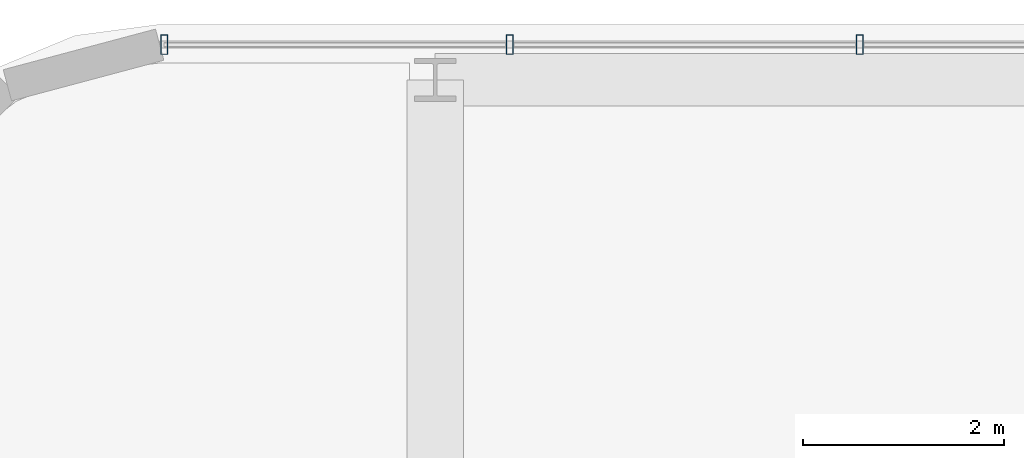
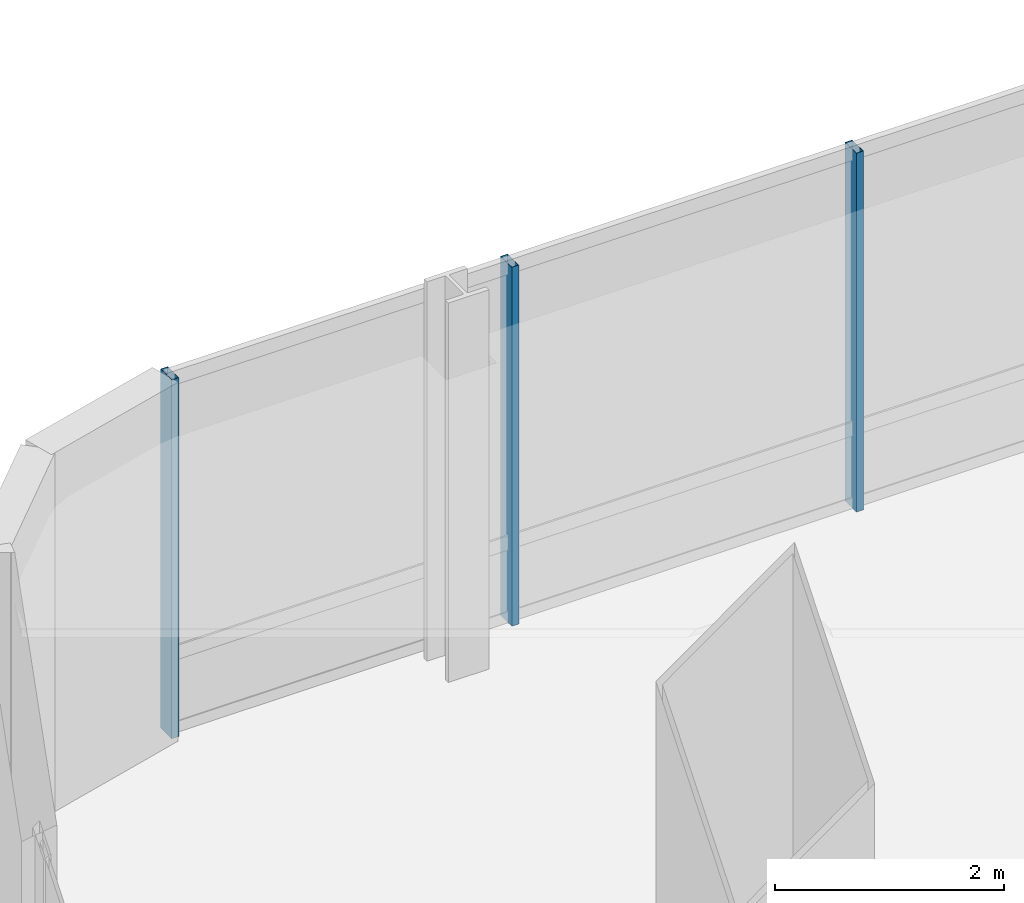
# One storey, part 21 of 38: 3 members, 1 element without a shape of its own.
"""IFC4 building model written with IfcOpenShell, lengths in metres."""

from ifc_helpers import new_model, si_unit, direction, frame, origin, origin_2d, place, context, subcontext, project, spatial, hollow_rectangle, extrude, material, material_profile, profile_set, type_object, element, aggregate, save


model = new_model("IFC4")

# Units and contexts
model_context = context("Model", 3, precision=1e-05, world=origin(), true_north=direction((0.0, 1.0)))
body_context = subcontext(model_context, "Body", "Model", "MODEL_VIEW")
ifc_project = project(units=[si_unit("LENGTHUNIT", "METRE"), si_unit("AREAUNIT", "SQUARE_METRE"), si_unit("VOLUMEUNIT", "CUBIC_METRE"), si_unit("PLANEANGLEUNIT", "RADIAN"), si_unit("MASSUNIT", "GRAM", prefix="KILO")], contexts=[model_context])

# Site, building, storey
site_placement = place(None, origin())
site = spatial("IfcSite", under=ifc_project, at=site_placement, CompositionType="ELEMENT")
building_placement = place(site_placement, origin())
building = spatial("IfcBuilding", under=site, at=building_placement, Name="Punatoya Terracotta Tower", CompositionType="ELEMENT")
storey_placement = place(building_placement, frame((0.0, 0.0, 156.0)))
storey = spatial("IfcBuildingStorey", under=building, at=storey_placement, Name="L36", CompositionType="ELEMENT", Elevation=156.0)

# Curtain wall, members
ifc_material_1 = material(Name="Aluminium 6063-T6 + Double Low-E Glass", Category="aluminium")
curtain_wall_type = type_object("IfcCurtainWallType", Name="CW-M2", PredefinedType="NOTDEFINED", material=ifc_material_1)
curtain_wall_placement = place(storey_placement, origin())
curtain_wall = element("IfcCurtainWall", 1, at=curtain_wall_placement, inside=storey, type_object=curtain_wall_type, Name="L36 Curtain Wall CW-L36-N09-2", PredefinedType="NOTDEFINED")
ifc_material_2 = material(Name="Aluminium 6063-T6", Category="aluminium")
ifc_material_profile = material_profile(ifc_material_2, hollow_rectangle(XDim=0.072021484375, YDim=0.195068359375, WallThickness=0.00439453125, at=origin_2d()))
ifc_profile_set = profile_set([ifc_material_profile], Name="Aluminium 6063-T6")
member_type = type_object("IfcMemberType", Name="CW-MUL-M2", PredefinedType="MULLION", material=ifc_profile_set)
member_1_placement = place(storey_placement, frame((-14.882080078125, 23.25, 0.0), z_axis=(0.0, 0.0, 1.0), x_axis=(1.0, 0.0, 0.0)))
member_1 = element("IfcMember", 2, at=member_1_placement, type_object=member_type, Name="CW-L36-N09-2 Mullion 03", PredefinedType="MULLION", context=body_context, shape_type="SweptSolid", body=[
    extrude(hollow_rectangle(XDim=0.072021484375, YDim=0.195068359375, WallThickness=0.00439453125, at=origin_2d()), origin(), (0.0, 0.0, 1.0), 3.830078125),
])
member_2_placement = place(storey_placement, frame((-18.359619140625, 23.25, 0.0), z_axis=(0.0, 0.0, 1.0), x_axis=(1.0, 0.0, 0.0)))
member_2 = element("IfcMember", 3, at=member_2_placement, type_object=member_type, Name="CW-L36-N09-2 Mullion 04", PredefinedType="MULLION", context=body_context, shape_type="SweptSolid", body=[
    extrude(hollow_rectangle(XDim=0.072021484375, YDim=0.195068359375, WallThickness=0.00439453125, at=origin_2d()), origin(), (0.0, 0.0, 1.0), 3.830078125),
])
member_3_placement = place(storey_placement, frame((-21.7919921875, 23.25, 0.0), z_axis=(0.0, 0.0, 1.0), x_axis=(1.0, 0.0, 0.0)))
member_3 = element("IfcMember", 4, at=member_3_placement, type_object=member_type, Name="CW-L36-N09-2 Mullion 05", PredefinedType="MULLION", context=body_context, shape_type="SweptSolid", body=[
    extrude(hollow_rectangle(XDim=0.072021484375, YDim=0.195068359375, WallThickness=0.00439453125, at=origin_2d()), origin(), (0.0, 0.0, 1.0), 3.830078125),
])
aggregate(curtain_wall, [member_1, member_2, member_3])

save(model, "model.ifc")
